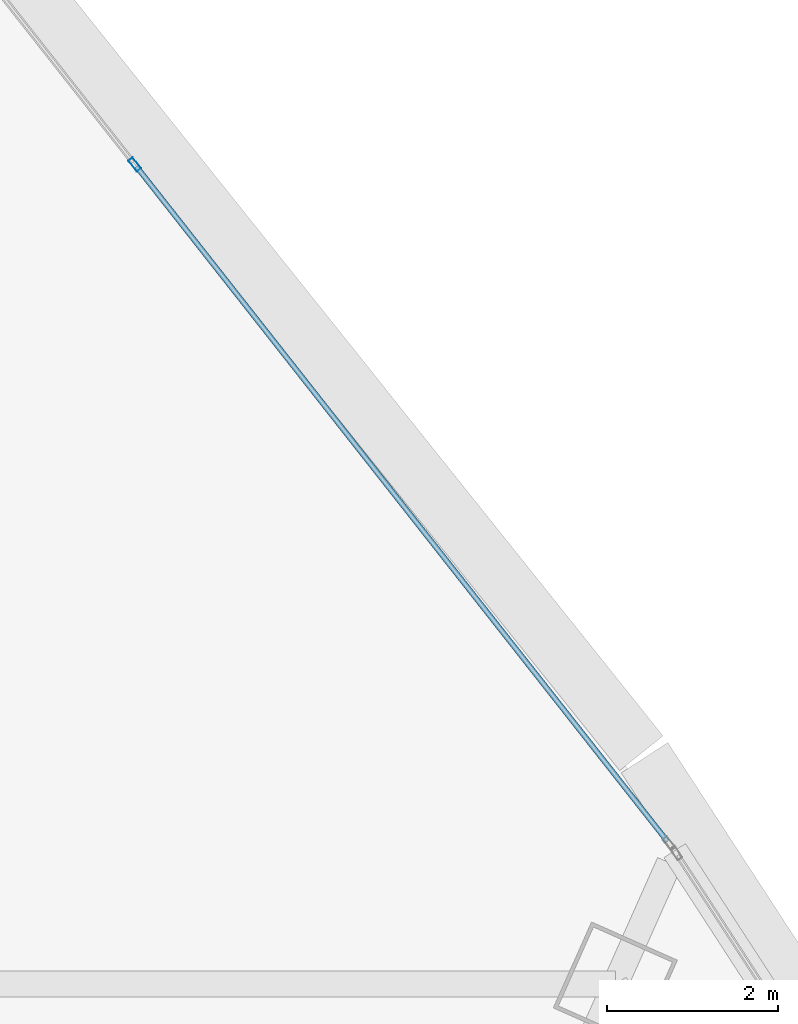
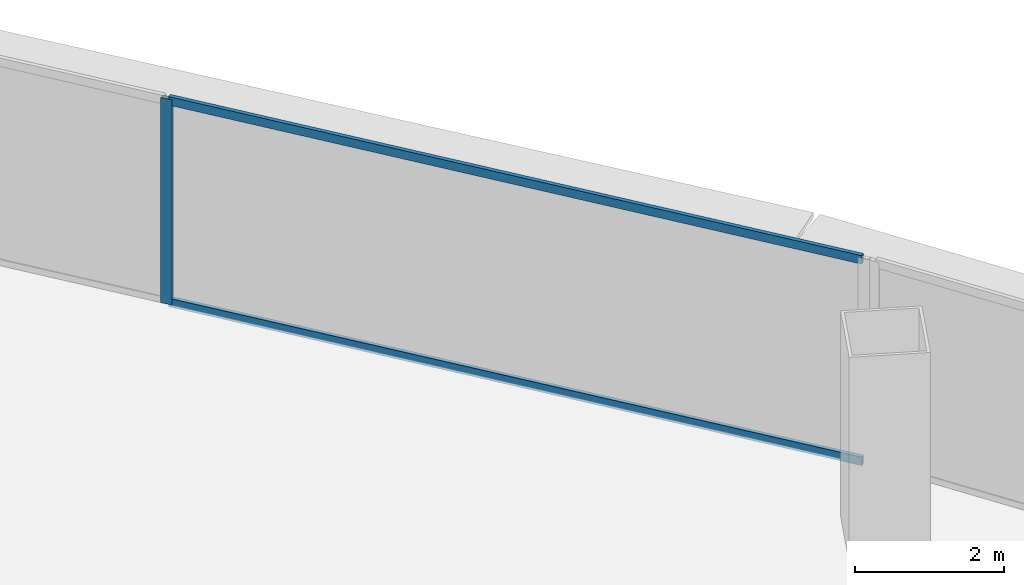
# One storey, part 28 of 42: 3 members, 1 element without a shape of its own.
"""IFC4 building model written with IfcOpenShell, lengths in metres."""

from ifc_helpers import new_model, si_unit, direction, frame, origin, origin_2d, place, context, subcontext, project, spatial, hollow_rectangle, extrude, source, transform, mapped, material, layer, layer_set, material_profile, profile_set, type_object, element, aggregate, save


model = new_model("IFC4")

# Units and contexts
model_context = context("Model", 3, precision=1e-05, world=origin(), true_north=direction((0.0, 1.0)))
body_context = subcontext(model_context, "Body", "Model", "MODEL_VIEW")
ifc_project = project(units=[si_unit("LENGTHUNIT", "METRE"), si_unit("AREAUNIT", "SQUARE_METRE"), si_unit("VOLUMEUNIT", "CUBIC_METRE"), si_unit("PLANEANGLEUNIT", "RADIAN"), si_unit("MASSUNIT", "GRAM", prefix="KILO"), si_unit("THERMODYNAMICTEMPERATUREUNIT", "KELVIN"), si_unit("POWERUNIT", "WATT")], contexts=[model_context])

# Site, building, storey
site_placement = place(None, origin())
site = spatial("IfcSite", under=ifc_project, at=site_placement, CompositionType="ELEMENT")
building_placement = place(site_placement, origin())
building = spatial("IfcBuilding", under=site, at=building_placement, Name="Yunzhuo Pagoda Commons", CompositionType="ELEMENT")
storey_placement = place(building_placement, frame((0.0, 0.0, 41.2900390625)))
storey = spatial("IfcBuildingStorey", under=building, at=storey_placement, Name="L10", CompositionType="ELEMENT", Elevation=41.2900390625)

# Curtain wall, members
ifc_material = material(Name="Anodized aluminium 6063-T6", Category="aluminium")
ifc_layer = layer(ifc_material, 0.1650390625)
ifc_layer_set = layer_set([ifc_layer], Name="Anodized aluminium 6063-T6")
curtain_wall_type = type_object("IfcCurtainWallType", Name="CW-LOW Low-Zone Ribbon Curtain Wall", PredefinedType="NOTDEFINED", material=ifc_layer_set)
curtain_wall_placement = place(storey_placement, origin())
curtain_wall = element("IfcCurtainWall", 1, at=curtain_wall_placement, inside=storey, type_object=curtain_wall_type, Name="L10 curtain wall CW-L10-F2B5", PredefinedType="NOTDEFINED")
ifc_material_profile_1 = material_profile(ifc_material, hollow_rectangle(XDim=0.06494140625, YDim=0.1650390625, WallThickness=0.00390625, at=origin_2d()), Name="Anodized aluminium 6063-T6")
ifc_profile_set_1 = profile_set([ifc_material_profile_1], Name="Anodized aluminium 6063-T6")
member_type_1 = type_object("IfcMemberType", Name="CW-LOW-M Mullion RHS 165x65x4", PredefinedType="MULLION", material=ifc_profile_set_1)
shared_shape_1 = source(origin(), body_context, "Body", "SweptSolid", [
    extrude(hollow_rectangle(XDim=0.06494140625, YDim=0.1650390625, WallThickness=0.00390625, at=origin_2d()), origin(), (0.0, 0.0, 1.0), 3.369873046875),
])
member_1_placement = place(storey_placement, frame((58.989013671875, 80.5966796875, 0.0), z_axis=(0.0, 0.0, 1.0), x_axis=(-0.785883026265, -0.61837518468, 0.0)))
member_1 = element("IfcMember", 2, at=member_1_placement, type_object=member_type_1, Name="CW mullion 2", PredefinedType="MULLION", context=body_context, shape_type="MappedRepresentation", body=[
    mapped(shared_shape_1, transform((0.0, 0.0, 0.0), scale=1.0)),
])
ifc_material_profile_2 = material_profile(ifc_material, hollow_rectangle(XDim=0.06005859375, YDim=0.139892578125, WallThickness=0.00341796875, at=origin_2d()), Name="Anodized aluminium 6063-T6")
ifc_profile_set_2 = profile_set([ifc_material_profile_2], Name="Anodized aluminium 6063-T6")
member_type_2 = type_object("IfcMemberType", Name="CW-LOW-T Transom RHS 140x60x3.5", PredefinedType="USERDEFINED", material=ifc_profile_set_2)
shared_shape_2 = source(origin(), body_context, "Body", "SweptSolid", [
    extrude(hollow_rectangle(XDim=0.06005859375, YDim=0.139892578125, WallThickness=0.00341796875, at=origin_2d()), origin(), (0.0, 0.0, 1.0), 10.042724609375),
])
member_2_placement = place(storey_placement, frame((65.218994140625, 72.6787109375, 0.030029296875), z_axis=(-0.618380762266, 0.785878637488, 0.0), x_axis=(-0.785878637488, -0.618380762266, 0.0)))
member_2 = element("IfcMember", 3, at=member_2_placement, type_object=member_type_2, Name="CW transom 1.1", ObjectType="TRANSOM", PredefinedType="USERDEFINED", context=body_context, shape_type="MappedRepresentation", body=[
    mapped(shared_shape_2, transform((0.0, 0.0, 0.0), scale=1.0)),
])
member_3_placement = place(storey_placement, frame((65.218994140625, 72.6787109375, 3.33984375), z_axis=(-0.618380762266, 0.785878637488, 0.0), x_axis=(-0.785878637488, -0.618380762266, 0.0)))
member_3 = element("IfcMember", 4, at=member_3_placement, type_object=member_type_2, Name="CW transom 1.2", ObjectType="TRANSOM", PredefinedType="USERDEFINED", context=body_context, shape_type="MappedRepresentation", body=[
    mapped(shared_shape_2, transform((0.0, 0.0, 0.0), scale=1.0)),
])
aggregate(curtain_wall, [member_1, member_2, member_3])

save(model, "model.ifc")
